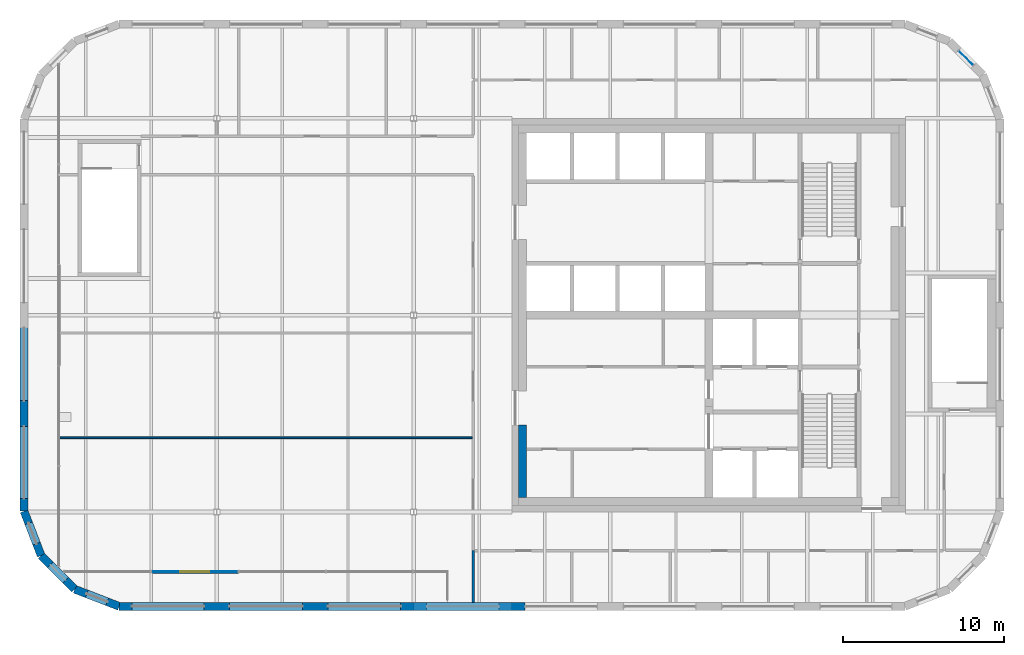
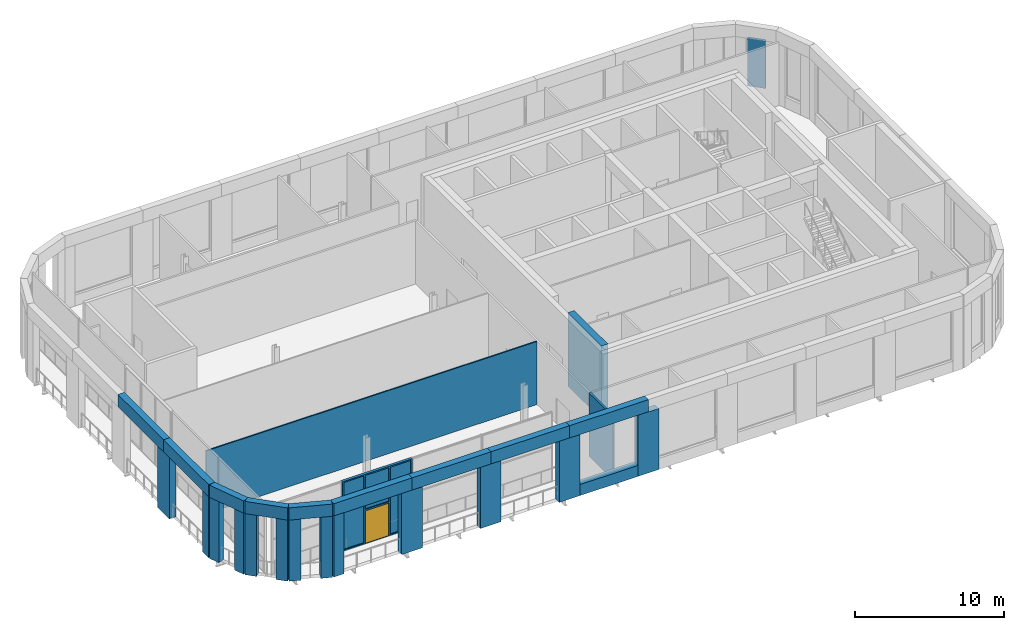
# One storey, part 11 of 19: 27 walls, 4 plates, 1 door, 4 openings, 1 element without a shape of its own.
"""IFC4 building model written with IfcOpenShell, lengths in metres."""

from ifc_helpers import new_model, si_unit, direction, frame, frame_2d, origin, origin_2d, place, context, subcontext, project, spatial, polyline, rectangle, outline, extrude, faceted_brep, source, transform, mapped, material, layer, layer_set, type_object, element, fill, aggregate, save


model = new_model("IFC4")

# Units and contexts
model_context = context("Model", 3, precision=1e-05, world=origin(), true_north=direction((0.0, 1.0)))
body_context = subcontext(model_context, "Body", "Model", "MODEL_VIEW")
ifc_project = project(units=[si_unit("LENGTHUNIT", "METRE"), si_unit("AREAUNIT", "SQUARE_METRE"), si_unit("VOLUMEUNIT", "CUBIC_METRE"), si_unit("PLANEANGLEUNIT", "RADIAN"), si_unit("MASSUNIT", "GRAM", prefix="KILO")], contexts=[model_context])

# Site, building, storey
site_placement = place(None, origin())
site = spatial("IfcSite", under=ifc_project, at=site_placement, CompositionType="ELEMENT")
building_placement = place(site_placement, origin())
building = spatial("IfcBuilding", under=site, at=building_placement, Name="Tessera Gate Towers", CompositionType="ELEMENT")
storey_placement = place(building_placement, frame((0.0, 0.0, 259.699951171875)))
storey = spatial("IfcBuildingStorey", under=building, at=storey_placement, Name="L65", CompositionType="ELEMENT", Elevation=259.699951171875)

# Curtain wall, plate
ifc_material_1 = material(Name="Aluminium frame", Category="aluminium")
curtain_wall_type = type_object("IfcCurtainWallType", Name="CW-S4 observation glass", PredefinedType="NOTDEFINED", material=ifc_material_1)
curtain_wall_placement = place(storey_placement, origin())
curtain_wall = element("IfcCurtainWall", 1, at=curtain_wall_placement, inside=storey, type_object=curtain_wall_type, Name="Curtain wall observation glass 0102", PredefinedType="NOTDEFINED")
ifc_material_2 = material(Name="Low-e laminated glass", Category="glass")
ifc_layer_1 = layer(ifc_material_2, 0.0400390625)
ifc_layer_set_1 = layer_set([ifc_layer_1], Name="PN-S4 glass panel 40")
plate_type_1 = type_object("IfcPlateType", Name="PN-S4 glass panel 40", PredefinedType="CURTAIN_PANEL", material=ifc_layer_set_1)
plate_1_placement = place(storey_placement, frame((58.647216796875, 52.547119140625, 0.949951171875), z_axis=(0.0, 0.0, 1.0), x_axis=(-0.707106781187, 0.707106781187, 0.0)))
plate_1 = element("IfcPlate", 2, at=plate_1_placement, type_object=plate_type_1, Name="T1-CW4-0102 panel 1.1", PredefinedType="CURTAIN_PANEL", context=body_context, shape_type="SweptSolid", body=[
    extrude(rectangle(XDim=1.244140625, YDim=0.0400390625, at=origin_2d()), origin(), (0.0, 0.0, 1.0), 4.0),
])
aggregate(curtain_wall, [plate_1])

# Walls
ifc_material_3 = material(Name="Concrete C40/50", Category="concrete")
ifc_layer_2 = layer(ifc_material_3, 0.5)
ifc_layer_set_2 = layer_set([ifc_layer_2], Name="CORE WALL THICKENING 500")
wall_type_1 = type_object("IfcWallType", Name="CORE WALL THICKENING 500", PredefinedType="SOLIDWALL", material=ifc_layer_set_2)
wall_1_placement = place(storey_placement, frame((31.14990234375, 25.300048828125, 0.0), z_axis=(0.0, 0.0, 1.0), x_axis=(0.0, 1.0, 0.0)))
element("IfcWall", 3, at=wall_1_placement, inside=storey, type_object=wall_type_1, Name="Core wall thickening W L65", PredefinedType="SOLIDWALL", context=body_context, shape_type="SweptSolid", body=[
    extrude(rectangle(XDim=4.5, YDim=0.5, at=frame_2d((2.25, 0.0))), origin(), (0.0, 0.0, 1.0), 6.0),
])
ifc_material_4 = material(Name="Gypsum board on steel studs", Category="steel")
ifc_layer_3 = layer(ifc_material_4, 0.10009765625)
ifc_layer_set_3 = layer_set([ifc_layer_3], Name="PARTITION 100")
wall_type_2 = type_object("IfcWallType", Name="PARTITION 100", PredefinedType="PARTITIONING", material=ifc_layer_set_3)
wall_2_placement = place(storey_placement, frame((2.39990234375, 29.0, 0.0), z_axis=(0.0, 0.0, 1.0), x_axis=(1.0, 0.0, 0.0)))
element("IfcWall", 4, at=wall_2_placement, inside=storey, type_object=wall_type_2, Name="T1-L65-PW-010", PredefinedType="PARTITIONING", context=body_context, shape_type="SweptSolid", body=[
    extrude(rectangle(XDim=25.6240234375, YDim=0.10009765625, at=frame_2d((12.81201171875, 0.0))), origin(), (0.0, 0.0, 1.0), 5.1669921875),
])
ifc_material_5 = material(Name="Gypsum board on steel studs, mineral wool", Category="steel")
ifc_layer_4 = layer(ifc_material_5, 0.14990234375)
ifc_layer_set_4 = layer_set([ifc_layer_4], Name="TENANCY WALL 150")
wall_type_3 = type_object("IfcWallType", Name="TENANCY WALL 150", PredefinedType="PARTITIONING", material=ifc_layer_set_4)
wall_3_placement = place(storey_placement, frame((28.10009765625, 18.800048828125, 0.0), z_axis=(0.0, 0.0, 1.0), x_axis=(0.0, 1.0, 0.0)))
element("IfcWall", 5, at=wall_3_placement, inside=storey, type_object=wall_type_3, Name="T1-L65-PW-001", PredefinedType="PARTITIONING", context=body_context, shape_type="SweptSolid", body=[
    extrude(rectangle(XDim=3.198974609375, YDim=0.14990234375, at=frame_2d((1.599609375, 0.0))), origin(), (0.0, 0.0, 1.0), 5.1669921875),
])

# Wall, openings, plates, door
ifc_material_6 = material(Name="Aluminium storefront glazing", Category="aluminium")
ifc_layer_5 = layer(ifc_material_6, 0.199951171875)
ifc_layer_set_5 = layer_set([ifc_layer_5], Name="WS2 storefront bay wall")
wall_type_4 = type_object("IfcWallType", Name="WS2 storefront bay wall", PredefinedType="PARTITIONING", material=ifc_layer_set_5)
wall_4_placement = place(storey_placement, frame((8.125, 20.699951171875, 0.0), z_axis=(0.0, 0.0, 1.0), x_axis=(1.0, 0.0, 0.0)))
wall_4 = element("IfcWall", 6, at=wall_4_placement, inside=storey, type_object=wall_type_4, Name="Storefront bay wall T1 WS2-0002", PredefinedType="PARTITIONING", context=body_context, shape_type="SweptSolid", body=[
    extrude(rectangle(XDim=5.425048828125, YDim=0.199951171875, at=frame_2d((2.71240234375, 0.0))), origin(), (0.0, 0.0, 1.0), 5.699951171875),
])
shared_shape_1 = source(origin(), body_context, "Body", "SweptSolid", [
    extrude(rectangle(XDim=1.800048828125, YDim=2.699951171875, at=frame_2d((0.89990234375, 1.35009765625))), frame((0.0, 0.10986328125, 0.0), z_axis=(0.0, -1.0, 0.0), x_axis=(1.0, 0.0, 0.0)), (0.0, 0.0, 1.0), 0.219970703125),
])
opening_1_placement = place(wall_4_placement, frame((1.8125, 0.0, 0.0)))
opening_1 = element("IfcOpeningElement", 7, at=opening_1_placement, cuts=wall_4, Name="Opening D-E107", PredefinedType="OPENING", context=body_context, shape_type="MappedRepresentation", body=[
    mapped(shared_shape_1, transform((0.0, 0.0, 0.0), scale=1.0)),
])
shared_shape_2 = source(origin(), body_context, "Body", "SweptSolid", [
    extrude(outline(polyline([(0.1201171875, 0.10009765625), (1.6923828125, 0.10009765625), (1.6923828125, 5.60009765625), (0.1201171875, 5.60009765625), (0.1201171875, 0.10009765625)])), frame((0.0, 0.10986328125, 0.0), z_axis=(0.0, -1.0, 0.0), x_axis=(1.0, 0.0, 0.0)), (0.0, 0.0, 1.0), 0.219970703125),
])
opening_2_placement = place(wall_4_placement, origin())
opening_2 = element("IfcOpeningElement", 8, at=opening_2_placement, cuts=wall_4, Name="Opening T1-PL3-0021", PredefinedType="OPENING", context=body_context, shape_type="MappedRepresentation", body=[
    mapped(shared_shape_2, transform((0.0, 0.0, 0.0), scale=1.0)),
])
shared_shape_3 = source(origin(), body_context, "Body", "SweptSolid", [
    extrude(outline(polyline([(3.732421875, 0.10009765625), (5.304931640625, 0.10009765625), (5.304931640625, 5.60009765625), (3.732421875, 5.60009765625), (3.732421875, 0.10009765625)])), frame((0.0, 0.10986328125, 0.0), z_axis=(0.0, -1.0, 0.0), x_axis=(1.0, 0.0, 0.0)), (0.0, 0.0, 1.0), 0.219970703125),
])
opening_3_placement = place(wall_4_placement, origin())
opening_3 = element("IfcOpeningElement", 9, at=opening_3_placement, cuts=wall_4, Name="Opening T1-PL3-0022", PredefinedType="OPENING", context=body_context, shape_type="MappedRepresentation", body=[
    mapped(shared_shape_3, transform((0.0, 0.0, 0.0), scale=1.0)),
])
shared_shape_4 = source(origin(), body_context, "Body", "SweptSolid", [
    extrude(outline(polyline([(1.8125, 2.820068359375), (3.612548828125, 2.820068359375), (3.612548828125, 5.60009765625), (1.8125, 5.60009765625), (1.8125, 2.820068359375)])), frame((0.0, 0.10986328125, 0.0), z_axis=(0.0, -1.0, 0.0), x_axis=(1.0, 0.0, 0.0)), (0.0, 0.0, 1.0), 0.219970703125),
])
opening_4_placement = place(wall_4_placement, origin())
opening_4 = element("IfcOpeningElement", 10, at=opening_4_placement, cuts=wall_4, Name="Opening T1-PL3-0023", PredefinedType="OPENING", context=body_context, shape_type="MappedRepresentation", body=[
    mapped(shared_shape_4, transform((0.0, 0.0, 0.0), scale=1.0)),
])
ifc_material_7 = material(Name="Low-e laminated glass", Category="glass")
ifc_layer_6 = layer(ifc_material_7, 0.06005859375)
ifc_layer_set_6 = layer_set([ifc_layer_6], Name="PL3 storefront pane")
plate_type_2 = type_object("IfcPlateType", Name="PL3 storefront pane", PredefinedType="SHEET", material=ifc_layer_set_6)
shared_shape_5 = source(origin(), body_context, "Body", "SweptSolid", [
    extrude(outline(polyline([(0.1201171875, 0.10009765625), (1.6923828125, 0.10009765625), (1.6923828125, 5.60009765625), (0.1201171875, 5.60009765625), (0.1201171875, 0.10009765625)])), frame((0.0, 0.030029296875, 0.0), z_axis=(0.0, -1.0, 0.0), x_axis=(1.0, 0.0, 0.0)), (0.0, 0.0, 1.0), 0.06005859375),
])
plate_2_placement = place(opening_2_placement, origin())
plate_2 = element("IfcPlate", 11, at=plate_2_placement, inside=storey, type_object=plate_type_2, Name="Glass pane T1 PL3-0021", PredefinedType="SHEET", context=body_context, shape_type="MappedRepresentation", body=[
    mapped(shared_shape_5, transform((0.0, 0.0, 0.0), scale=1.0)),
])
fill(opening_2, plate_2)
shared_shape_6 = source(origin(), body_context, "Body", "SweptSolid", [
    extrude(outline(polyline([(3.732421875, 0.10009765625), (5.304931640625, 0.10009765625), (5.304931640625, 5.60009765625), (3.732421875, 5.60009765625), (3.732421875, 0.10009765625)])), frame((0.0, 0.030029296875, 0.0), z_axis=(0.0, -1.0, 0.0), x_axis=(1.0, 0.0, 0.0)), (0.0, 0.0, 1.0), 0.06005859375),
])
plate_3_placement = place(opening_3_placement, origin())
plate_3 = element("IfcPlate", 12, at=plate_3_placement, inside=storey, type_object=plate_type_2, Name="Glass pane T1 PL3-0022", PredefinedType="SHEET", context=body_context, shape_type="MappedRepresentation", body=[
    mapped(shared_shape_6, transform((0.0, 0.0, 0.0), scale=1.0)),
])
fill(opening_3, plate_3)
shared_shape_7 = source(origin(), body_context, "Body", "SweptSolid", [
    extrude(outline(polyline([(1.8125, 2.820068359375), (3.612548828125, 2.820068359375), (3.612548828125, 5.60009765625), (1.8125, 5.60009765625), (1.8125, 2.820068359375)])), frame((0.0, 0.030029296875, 0.0), z_axis=(0.0, -1.0, 0.0), x_axis=(1.0, 0.0, 0.0)), (0.0, 0.0, 1.0), 0.06005859375),
])
plate_4_placement = place(opening_4_placement, origin())
plate_4 = element("IfcPlate", 13, at=plate_4_placement, inside=storey, type_object=plate_type_2, Name="Glass pane T1 PL3-0023", PredefinedType="SHEET", context=body_context, shape_type="MappedRepresentation", body=[
    mapped(shared_shape_7, transform((0.0, 0.0, 0.0), scale=1.0)),
])
fill(opening_4, plate_4)
ifc_material_8 = material(Name="Aluminium storefront glazing", Category="aluminium")
ifc_layer_7 = layer(ifc_material_8, 0.050048828125)
ifc_layer_set_7 = layer_set([ifc_layer_7], Name="DL4 deck door")
door_type = type_object("IfcDoorType", Name="DL4 deck door", OperationType="DOUBLE_DOOR_SINGLE_SWING", PredefinedType="DOOR", material=ifc_layer_set_7)
shared_shape_8 = source(origin(), body_context, "Body", "SweptSolid", [
    extrude(rectangle(XDim=1.800048828125, YDim=2.699951171875, at=frame_2d((0.89990234375, 1.35009765625))), frame((0.0, 0.02490234375, 0.0), z_axis=(0.0, -1.0, 0.0), x_axis=(1.0, 0.0, 0.0)), (0.0, 0.0, 1.0), 0.050048828125),
])
door_placement = place(opening_1_placement, origin())
door = element("IfcDoor", 14, at=door_placement, inside=storey, type_object=door_type, Name="Deck door D-E107", OperationType="DOUBLE_DOOR_SINGLE_SWING", OverallHeight=2.699951171875, OverallWidth=1.800048828125, PredefinedType="DOOR", context=body_context, shape_type="MappedRepresentation", body=[
    mapped(shared_shape_8, transform((0.0, 0.0, 0.0), scale=1.0)),
])
fill(opening_1, door)

# Walls
ifc_material_9 = material(Name="Precast concrete C60/75 white", Category="concrete")
ifc_layer_8 = layer(ifc_material_9, 0.5)
ifc_layer_set_8 = layer_set([ifc_layer_8], Name="RB1 ring band panel")
wall_type_5 = type_object("IfcWallType", Name="RB1 ring band panel", PredefinedType="SOLIDWALL", material=ifc_layer_set_8)
shared_shape_9 = source(origin(), body_context, "Body", "SweptSolid", [
    extrude(outline(polyline([(0.0, 0.0), (4.5, 0.0), (4.5, 0.900146484375), (0.0, 0.900146484375), (0.0, 0.0)])), frame((0.0, 0.25, 0.0), z_axis=(0.0, -1.0, 0.0), x_axis=(1.0, 0.0, 0.0)), (0.0, 0.0, 1.0), 0.5),
])
wall_5_placement = place(storey_placement, frame((25.199951171875, 18.550048828125, 0.0), z_axis=(0.0, 0.0, 1.0), x_axis=(1.0, 0.0, 0.0)))
element("IfcWall", 15, at=wall_5_placement, inside=storey, type_object=wall_type_5, Name="Ring band panel T1 RB1-0423", PredefinedType="SOLIDWALL", context=body_context, shape_type="MappedRepresentation", body=[
    mapped(shared_shape_9, transform((0.0, 0.0, 0.0), scale=1.0)),
])
shared_shape_10 = source(origin(), body_context, "Body", "Brep", [
    faceted_brep([(0.0, -0.25, 0.0), (0.800048828125, -0.25, 0.0), (0.800048828125, -0.25, 5.0), (0.0, -0.25, 5.0), (0.046630859375, 0.25, 5.0), (0.800048828125, 0.25, 5.0), (0.800048828125, 0.25, 0.0), (0.046630859375, 0.25, 0.0), (0.0, 0.0, 0.0), (0.0, 0.0, 5.0)], [[[0, 1, 2, 3]], [[4, 5, 6, 7]], [[7, 6, 1, 0, 8]], [[5, 4, 9, 3, 2]], [[8, 0, 3, 9]], [[7, 8, 9, 4]], [[1, 6, 5, 2]]]),
])
wall_6_placement = place(storey_placement, frame((6.146484375, 18.550048828125, 0.0), z_axis=(0.0, 0.0, 1.0), x_axis=(1.0, 0.0, 0.0)))
element("IfcWall", 16, at=wall_6_placement, inside=storey, type_object=wall_type_5, Name="Ring band panel T1 RB1-0411", PredefinedType="SOLIDWALL", context=body_context, shape_type="MappedRepresentation", body=[
    mapped(shared_shape_10, transform((0.0, 0.0, 0.0), scale=1.0)),
])
shared_shape_11 = source(origin(), body_context, "Body", "SweptSolid", [
    extrude(outline(polyline([(0.0, 0.0), (1.60009765625, 0.0), (1.60009765625, 5.0), (0.0, 5.0), (0.0, 0.0)])), frame((0.0, 0.25, 0.0), z_axis=(0.0, -1.0, 0.0), x_axis=(1.0, 0.0, 0.0)), (0.0, 0.0, 1.0), 0.5),
])
for number, where, z_axis, x_axis, name in (
    (17, (11.39990234375, 18.550048828125, 0.0), (0.0, 0.0, 1.0), (1.0, 0.0, 0.0), "Ring band panel T1 RB1-0412"),
    (18, (17.5, 18.550048828125, 0.0), (0.0, 0.0, 1.0), (1.0, 0.0, 0.0), "Ring band panel T1 RB1-0413"),
    (19, (29.699951171875, 18.550048828125, 0.0), (0.0, 0.0, 1.0), (1.0, 0.0, 0.0), "Ring band panel T1 RB1-0415"),
    (20, (0.25, 31.300048828125, 0.0), (0.0, 0.0, 1.0), (0.0, -1.0, 0.0), "Ring band panel T1 RB1-0507"),
):
    element("IfcWall", number, at=place(storey_placement, frame(where, z_axis=z_axis, x_axis=x_axis)), inside=storey, type_object=wall_type_5, Name=name, PredefinedType="SOLIDWALL", context=body_context, shape_type="MappedRepresentation", body=[
        mapped(shared_shape_11, transform((0.0, 0.0, 0.0), scale=1.0)),
    ])
shared_shape_12 = source(origin(), body_context, "Body", "Brep", [
    faceted_brep([(0.0, -0.25, 0.0), (1.599853515625, -0.25, 0.0), (1.599853515625, -0.25, 5.0), (0.0, -0.25, 5.0), (0.0, 0.25, 5.0), (1.599853515625, 0.25, 5.0), (1.599853515625, 0.25, 0.0), (0.0, 0.25, 0.0)], [[[0, 1, 2, 3]], [[4, 5, 6, 7]], [[7, 6, 1, 0]], [[5, 4, 3, 2]], [[4, 7, 0, 3]], [[1, 6, 5, 2]]]),
])
wall_7_placement = place(storey_placement, frame((23.60009765625, 18.550048828125, 0.0), z_axis=(0.0, 0.0, 1.0), x_axis=(1.0, 0.0, 0.0)))
element("IfcWall", 21, at=wall_7_placement, inside=storey, type_object=wall_type_5, Name="Ring band panel T1 RB1-0414", PredefinedType="SOLIDWALL", context=body_context, shape_type="MappedRepresentation", body=[
    mapped(shared_shape_12, transform((0.0, 0.0, 0.0), scale=1.0)),
])
shared_shape_13 = source(origin(), body_context, "Body", "Brep", [
    faceted_brep([(0.0, -0.25, 0.0), (0.800048828125, -0.25, 0.0), (0.800048828125, -0.25, 5.0), (0.0, -0.25, 5.0), (0.0, 0.25, 5.0), (0.75341796875, 0.25, 5.0), (0.75341796875, 0.25, 0.0), (0.0, 0.25, 0.0), (0.800048828125, -0.000244140625, 0.0), (0.800048828125, -0.000244140625, 5.0)], [[[0, 1, 2, 3]], [[4, 5, 6, 7]], [[7, 6, 8, 1, 0]], [[9, 2, 1, 8]], [[5, 4, 3, 2, 9]], [[4, 7, 0, 3]], [[8, 6, 5, 9]]]),
])
wall_8_placement = place(storey_placement, frame((0.25, 25.24658203125, 0.0), z_axis=(0.0, 0.0, 1.0), x_axis=(0.0, -1.0, 0.0)))
element("IfcWall", 22, at=wall_8_placement, inside=storey, type_object=wall_type_5, Name="Ring band panel T1 RB1-0508", PredefinedType="SOLIDWALL", context=body_context, shape_type="MappedRepresentation", body=[
    mapped(shared_shape_13, transform((0.0, 0.0, 0.0), scale=1.0)),
])
shared_shape_14 = source(origin(), body_context, "Body", "Brep", [
    faceted_brep([(0.0, -0.25, 0.0), (6.053466796875, -0.25, 0.0), (6.053466796875, -0.25, 1.0), (0.0, -0.25, 1.0), (0.046630859375, 0.25, 1.0), (6.053466796875, 0.25, 1.0), (6.053466796875, 0.25, 0.0), (0.046630859375, 0.25, 0.0), (0.0, 0.0, 0.0), (0.0, 0.0, 1.0)], [[[0, 1, 2, 3]], [[4, 5, 6, 7]], [[7, 6, 1, 0, 8]], [[5, 4, 9, 3, 2]], [[8, 0, 3, 9]], [[7, 8, 9, 4]], [[1, 6, 5, 2]]]),
])
wall_9_placement = place(storey_placement, frame((6.146484375, 18.550048828125, 5.0), z_axis=(0.0, 0.0, 1.0), x_axis=(1.0, 0.0, 0.0)))
element("IfcWall", 23, at=wall_9_placement, inside=storey, type_object=wall_type_5, Name="Ring band panel T1 RB1-0420", PredefinedType="SOLIDWALL", context=body_context, shape_type="MappedRepresentation", body=[
    mapped(shared_shape_14, transform((0.0, 0.0, 0.0), scale=1.0)),
])
shared_shape_15 = source(origin(), body_context, "Body", "SweptSolid", [
    extrude(outline(polyline([(0.0, 0.0), (6.10009765625, 0.0), (6.10009765625, 1.0), (0.0, 1.0), (0.0, 0.0)])), frame((0.0, 0.25, 0.0), z_axis=(0.0, -1.0, 0.0), x_axis=(1.0, 0.0, 0.0)), (0.0, 0.0, 1.0), 0.5),
])
for number, where, z_axis, x_axis, name in (
    (24, (12.199951171875, 18.550048828125, 5.0), (0.0, 0.0, 1.0), (1.0, 0.0, 0.0), "Ring band panel T1 RB1-0421"),
    (25, (24.39990234375, 18.550048828125, 5.0), (0.0, 0.0, 1.0), (1.0, 0.0, 0.0), "Ring band panel T1 RB1-0424"),
    (26, (0.25, 36.60009765625, 5.0), (0.0, 0.0, 1.0), (0.0, -1.0, 0.0), "Ring band panel T1 RB1-0511"),
):
    element("IfcWall", number, at=place(storey_placement, frame(where, z_axis=z_axis, x_axis=x_axis)), inside=storey, type_object=wall_type_5, Name=name, PredefinedType="SOLIDWALL", context=body_context, shape_type="MappedRepresentation", body=[
        mapped(shared_shape_15, transform((0.0, 0.0, 0.0), scale=1.0)),
    ])
shared_shape_16 = source(origin(), body_context, "Body", "Brep", [
    faceted_brep([(0.0, -0.25, 0.0), (6.099853515625, -0.25, 0.0), (6.099853515625, -0.25, 1.0), (0.0, -0.25, 1.0), (0.0, 0.25, 1.0), (6.099853515625, 0.25, 1.0), (6.099853515625, 0.25, 0.0), (0.0, 0.25, 0.0)], [[[0, 1, 2, 3]], [[4, 5, 6, 7]], [[7, 6, 1, 0]], [[5, 4, 3, 2]], [[4, 7, 0, 3]], [[1, 6, 5, 2]]]),
])
wall_10_placement = place(storey_placement, frame((18.300048828125, 18.550048828125, 5.0), z_axis=(0.0, 0.0, 1.0), x_axis=(1.0, 0.0, 0.0)))
element("IfcWall", 27, at=wall_10_placement, inside=storey, type_object=wall_type_5, Name="Ring band panel T1 RB1-0422", PredefinedType="SOLIDWALL", context=body_context, shape_type="MappedRepresentation", body=[
    mapped(shared_shape_16, transform((0.0, 0.0, 0.0), scale=1.0)),
])
shared_shape_17 = source(origin(), body_context, "Body", "Brep", [
    faceted_brep([(0.0, -0.25, 0.0), (6.053466796875, -0.25, 0.0), (6.053466796875, -0.25, 1.0), (0.0, -0.25, 1.0), (0.0, 0.25, 1.0), (6.0068359375, 0.25, 1.0), (6.0068359375, 0.25, 0.0), (0.0, 0.25, 0.0), (6.053466796875, 0.0, 0.0), (6.053466796875, 0.0, 1.0)], [[[0, 1, 2, 3]], [[4, 5, 6, 7]], [[7, 6, 8, 1, 0]], [[9, 2, 1, 8]], [[5, 4, 3, 2, 9]], [[4, 7, 0, 3]], [[8, 6, 5, 9]]]),
])
wall_11_placement = place(storey_placement, frame((0.25, 30.5, 5.0), z_axis=(0.0, 0.0, 1.0), x_axis=(0.0, -1.0, 0.0)))
element("IfcWall", 28, at=wall_11_placement, inside=storey, type_object=wall_type_5, Name="Ring band panel T1 RB1-0512", PredefinedType="SOLIDWALL", context=body_context, shape_type="MappedRepresentation", body=[
    mapped(shared_shape_17, transform((0.0, 0.0, 0.0), scale=1.0)),
])
shared_shape_18 = source(origin(), body_context, "Body", "Brep", [
    faceted_brep([(0.0, -0.25, 0.0), (0.800048828125, -0.25, 0.0), (0.800048828125, -0.25, 5.0), (0.0, -0.25, 5.0), (0.046630859375, 0.25, 5.0), (0.800048828125, 0.25, 5.0), (0.800048828125, 0.25, 0.0), (0.046630859375, 0.25, 0.0), (0.0, 0.0, 0.0), (0.0, 0.0, 5.0)], [[[0, 1, 2, 3]], [[4, 5, 6, 7]], [[7, 6, 1, 0, 8]], [[5, 4, 9, 3, 2]], [[8, 0, 3, 9]], [[7, 8, 9, 4]], [[1, 6, 5, 2]]]),
])
wall_12_placement = place(storey_placement, frame((0.25, 24.446533203125, 0.0), z_axis=(0.0, 0.0, 1.0), x_axis=(0.3598379092, -0.93301483327, 0.0)))
element("IfcWall", 29, at=wall_12_placement, inside=storey, type_object=wall_type_5, Name="Ring band panel T1 RB1-0513", PredefinedType="SOLIDWALL", context=body_context, shape_type="MappedRepresentation", body=[
    mapped(shared_shape_18, transform((0.0, 0.0, 0.0), scale=1.0)),
])
shared_shape_19 = source(origin(), body_context, "Body", "Brep", [
    faceted_brep([(0.0, -0.25, 0.0), (2.950439453125, -0.25, 0.0), (2.950439453125, -0.25, 1.0), (0.0, -0.25, 1.0), (0.046630859375, 0.25, 1.0), (2.897705078125, 0.25, 1.0), (2.897705078125, 0.25, 0.0), (0.046630859375, 0.25, 0.0), (2.950439453125, 0.00048828125, 0.0), (0.0, 0.0, 0.0), (2.950439453125, 0.00048828125, 1.0), (0.0, 0.0, 1.0)], [[[0, 1, 2, 3]], [[4, 5, 6, 7]], [[7, 6, 8, 1, 0, 9]], [[10, 2, 1, 8]], [[5, 4, 11, 3, 2, 10]], [[9, 0, 3, 11]], [[7, 9, 11, 4]], [[8, 6, 5, 10]]]),
])
wall_13_placement = place(storey_placement, frame((0.25, 24.446533203125, 5.0), z_axis=(0.0, 0.0, 1.0), x_axis=(0.359877213415, -0.932999673775, 0.0)))
element("IfcWall", 30, at=wall_13_placement, inside=storey, type_object=wall_type_5, Name="Ring band panel T1 RB1-0515", PredefinedType="SOLIDWALL", context=body_context, shape_type="MappedRepresentation", body=[
    mapped(shared_shape_19, transform((0.0, 0.0, 0.0), scale=1.0)),
])
shared_shape_20 = source(origin(), body_context, "Body", "Brep", [
    faceted_brep([(0.0, -0.25, 0.0), (0.800048828125, -0.25, 0.0), (0.800048828125, -0.25, 5.0), (0.0, -0.25, 5.0), (0.052978515625, 0.25, 5.0), (0.800048828125, 0.25, 5.0), (0.800048828125, 0.25, 0.0), (0.052978515625, 0.25, 0.0), (0.0, 0.0, 0.0), (0.0, 0.0, 5.0)], [[[0, 1, 2, 3]], [[4, 5, 6, 7]], [[7, 6, 1, 0, 8]], [[5, 4, 9, 3, 2]], [[8, 0, 3, 9]], [[7, 8, 9, 4]], [[1, 6, 5, 2]]]),
])
wall_14_placement = place(storey_placement, frame((1.31201171875, 21.69384765625, 0.0), z_axis=(0.0, 0.0, 1.0), x_axis=(0.706954206636, -0.707259322823, 0.0)))
element("IfcWall", 31, at=wall_14_placement, inside=storey, type_object=wall_type_5, Name="Ring band panel T1 RB1-0516", PredefinedType="SOLIDWALL", context=body_context, shape_type="MappedRepresentation", body=[
    mapped(shared_shape_20, transform((0.0, 0.0, 0.0), scale=1.0)),
])
shared_shape_21 = source(origin(), body_context, "Body", "Brep", [
    faceted_brep([(0.0, -0.25, 0.0), (0.800048828125, -0.25, 0.0), (0.800048828125, -0.25, 5.0), (0.0, -0.25, 5.0), (0.0, 0.25, 5.0), (0.7470703125, 0.25, 5.0), (0.7470703125, 0.25, 0.0), (0.0, 0.25, 0.0), (0.800048828125, -0.000244140625, 0.0), (0.800048828125, -0.000244140625, 5.0)], [[[0, 1, 2, 3]], [[4, 5, 6, 7]], [[7, 6, 8, 1, 0]], [[9, 2, 1, 8]], [[5, 4, 3, 2, 9]], [[4, 7, 0, 3]], [[8, 6, 5, 9]]]),
])
wall_15_placement = place(storey_placement, frame((1.02392578125, 22.440185546875, 0.0), z_axis=(0.0, 0.0, 1.0), x_axis=(0.360001058183, -0.932951894851, 0.0)))
element("IfcWall", 32, at=wall_15_placement, inside=storey, type_object=wall_type_5, Name="Ring band panel T1 RB1-0514", PredefinedType="SOLIDWALL", context=body_context, shape_type="MappedRepresentation", body=[
    mapped(shared_shape_21, transform((0.0, 0.0, 0.0), scale=1.0)),
])
shared_shape_22 = source(origin(), body_context, "Body", "Brep", [
    faceted_brep([(0.0, -0.25, 0.0), (2.944091796875, -0.25, 0.0), (2.944091796875, -0.25, 1.0), (0.0, -0.25, 1.0), (0.052978515625, 0.25, 1.0), (2.89111328125, 0.25, 1.0), (2.89111328125, 0.25, 0.0), (0.052978515625, 0.25, 0.0), (2.944091796875, 0.000244140625, 0.0), (0.0, 0.0, 0.0), (2.944091796875, 0.000244140625, 1.0), (0.0, 0.0, 1.0)], [[[0, 1, 2, 3]], [[4, 5, 6, 7]], [[7, 6, 8, 1, 0, 9]], [[10, 2, 1, 8]], [[5, 4, 11, 3, 2, 10]], [[9, 0, 3, 11]], [[7, 9, 11, 4]], [[8, 6, 5, 10]]]),
])
wall_16_placement = place(storey_placement, frame((1.31201171875, 21.69384765625, 5.0), z_axis=(0.0, 0.0, 1.0), x_axis=(0.707106781187, -0.707106781187, 0.0)))
element("IfcWall", 33, at=wall_16_placement, inside=storey, type_object=wall_type_5, Name="Ring band panel T1 RB1-0518", PredefinedType="SOLIDWALL", context=body_context, shape_type="MappedRepresentation", body=[
    mapped(shared_shape_22, transform((0.0, 0.0, 0.0), scale=1.0)),
])
shared_shape_23 = source(origin(), body_context, "Body", "Brep", [
    faceted_brep([(0.0, -0.25, 0.0), (0.800048828125, -0.25, 0.0), (0.800048828125, -0.25, 5.0), (0.0, -0.25, 5.0), (0.0, 0.25, 5.0), (0.75341796875, 0.25, 5.0), (0.75341796875, 0.25, 0.0), (0.0, 0.25, 0.0), (0.800048828125, -0.000244140625, 0.0), (0.800048828125, -0.000244140625, 5.0)], [[[0, 1, 2, 3]], [[4, 5, 6, 7]], [[7, 6, 8, 1, 0]], [[9, 2, 1, 8]], [[5, 4, 3, 2, 9]], [[4, 7, 0, 3]], [[8, 6, 5, 9]]]),
])
wall_17_placement = place(storey_placement, frame((5.400146484375, 18.837890625, 0.0), z_axis=(0.0, 0.0, 1.0), x_axis=(0.93301483327, -0.3598379092, 0.0)))
element("IfcWall", 34, at=wall_17_placement, inside=storey, type_object=wall_type_5, Name="Ring band panel T1 RB1-0520", PredefinedType="SOLIDWALL", context=body_context, shape_type="MappedRepresentation", body=[
    mapped(shared_shape_23, transform((0.0, 0.0, 0.0), scale=1.0)),
])
shared_shape_24 = source(origin(), body_context, "Body", "Brep", [
    faceted_brep([(0.0, -0.25, 0.0), (2.950439453125, -0.25, 0.0), (2.950439453125, -0.25, 1.0), (0.0, -0.25, 1.0), (0.052978515625, 0.25, 1.0), (2.904052734375, 0.25, 1.0), (2.904052734375, 0.25, 0.0), (0.052978515625, 0.25, 0.0), (2.950439453125, 0.00048828125, 0.0), (0.0, 0.0, 0.0), (2.950439453125, 0.00048828125, 1.0), (0.0, 0.0, 1.0)], [[[0, 1, 2, 3]], [[4, 5, 6, 7]], [[7, 6, 8, 1, 0, 9]], [[10, 2, 1, 8]], [[5, 4, 11, 3, 2, 10]], [[9, 0, 3, 11]], [[7, 9, 11, 4]], [[8, 6, 5, 10]]]),
])
wall_18_placement = place(storey_placement, frame((3.393798828125, 19.61181640625, 5.0), z_axis=(0.0, 0.0, 1.0), x_axis=(0.932999673775, -0.359877213415, 0.0)))
element("IfcWall", 35, at=wall_18_placement, inside=storey, type_object=wall_type_5, Name="Ring band panel T1 RB1-0521", PredefinedType="SOLIDWALL", context=body_context, shape_type="MappedRepresentation", body=[
    mapped(shared_shape_24, transform((0.0, 0.0, 0.0), scale=1.0)),
])
shared_shape_25 = source(origin(), body_context, "Body", "Brep", [
    faceted_brep([(0.0, -0.25, 0.0), (0.800048828125, -0.25, 0.0), (0.800048828125, -0.25, 5.0), (0.0, -0.25, 5.0), (0.0, 0.25, 5.0), (0.7470703125, 0.25, 5.0), (0.7470703125, 0.25, 0.0), (0.0, 0.25, 0.0), (0.800048828125, -0.000244140625, 0.0), (0.800048828125, -0.000244140625, 5.0)], [[[0, 1, 2, 3]], [[4, 5, 6, 7]], [[7, 6, 8, 1, 0]], [[9, 2, 1, 8]], [[5, 4, 3, 2, 9]], [[4, 7, 0, 3]], [[8, 6, 5, 9]]]),
])
wall_19_placement = place(storey_placement, frame((2.828125, 20.177490234375, 0.0), z_axis=(0.0, 0.0, 1.0), x_axis=(0.707106781187, -0.707106781187, 0.0)))
element("IfcWall", 36, at=wall_19_placement, inside=storey, type_object=wall_type_5, Name="Ring band panel T1 RB1-0517", PredefinedType="SOLIDWALL", context=body_context, shape_type="MappedRepresentation", body=[
    mapped(shared_shape_25, transform((0.0, 0.0, 0.0), scale=1.0)),
])
shared_shape_26 = source(origin(), body_context, "Body", "Brep", [
    faceted_brep([(0.0, -0.25, 0.0), (0.800048828125, -0.25, 0.0), (0.800048828125, -0.25, 5.0), (0.0, -0.25, 5.0), (0.052978515625, 0.25, 5.0), (0.800048828125, 0.25, 5.0), (0.800048828125, 0.25, 0.0), (0.052978515625, 0.25, 0.0), (0.0, 0.0, 0.0), (0.0, 0.0, 5.0)], [[[0, 1, 2, 3]], [[4, 5, 6, 7]], [[7, 6, 1, 0, 8]], [[5, 4, 9, 3, 2]], [[8, 0, 3, 9]], [[7, 8, 9, 4]], [[1, 6, 5, 2]]]),
])
wall_20_placement = place(storey_placement, frame((3.393798828125, 19.61181640625, 0.0), z_axis=(0.0, 0.0, 1.0), x_axis=(0.93301483327, -0.3598379092, 0.0)))
element("IfcWall", 37, at=wall_20_placement, inside=storey, type_object=wall_type_5, Name="Ring band panel T1 RB1-0519", PredefinedType="SOLIDWALL", context=body_context, shape_type="MappedRepresentation", body=[
    mapped(shared_shape_26, transform((0.0, 0.0, 0.0), scale=1.0)),
])

save(model, "model.ifc")
